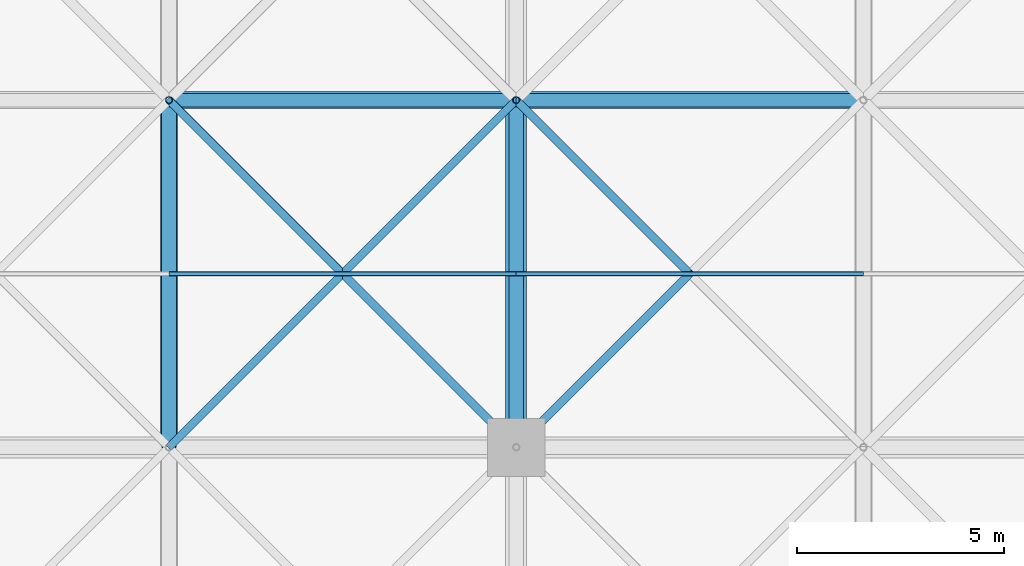
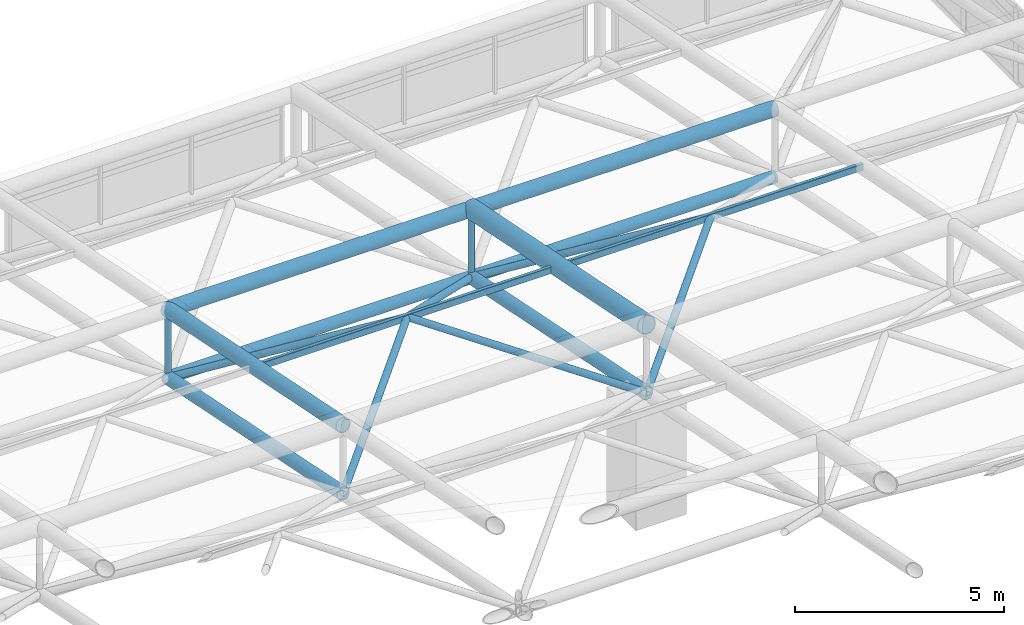
# One storey, part 65 of 110: 18 members.
"""IFC4 building model written with IfcOpenShell, lengths in metres."""

from ifc_helpers import new_model, si_unit, direction, frame, origin, origin_2d, place, context, subcontext, project, spatial, hollow_rectangle, hollow_circle, extrude, material, material_profile, profile_set, type_object, element, save


model = new_model("IFC4")

# Units and contexts
model_context = context("Model", 3, precision=1e-05, world=origin(), true_north=direction((0.0, 1.0)))
body_context = subcontext(model_context, "Body", "Model", "MODEL_VIEW")
ifc_project = project(units=[si_unit("LENGTHUNIT", "METRE"), si_unit("AREAUNIT", "SQUARE_METRE"), si_unit("VOLUMEUNIT", "CUBIC_METRE"), si_unit("PLANEANGLEUNIT", "RADIAN"), si_unit("MASSUNIT", "GRAM", prefix="KILO")], contexts=[model_context])

# Site, building, storey
site_placement = place(None, origin())
site = spatial("IfcSite", under=ifc_project, at=site_placement, CompositionType="ELEMENT")
building_placement = place(site_placement, origin())
building = spatial("IfcBuilding", under=site, at=building_placement, Name="Qawsi Khor Wholesale Market", CompositionType="ELEMENT")
storey_placement = place(building_placement, frame((0.0, 0.0, 11.39990234375)))
storey = spatial("IfcBuildingStorey", under=building, at=storey_placement, Name="L02", CompositionType="ELEMENT", Elevation=11.39990234375)

# Members
ifc_material = material(Name="Steel S355", Category="steel")
ifc_material_profile_1 = material_profile(ifc_material, hollow_circle(Radius=0.177734375, WallThickness=0.01611328125, at=origin_2d()), Name="CHS 355.6x16.0")
ifc_profile_set_1 = profile_set([ifc_material_profile_1], Name="Steel S355")
member_type_1 = type_object("IfcMemberType", Name="Space-Frame Bottom Chord CHS 355.6x16.0", PredefinedType="CHORD", material=ifc_profile_set_1)
for number, where, z_axis, x_axis, name in (
    (1, (193.199951171875, 92.39990234375, 3.3701171875), (0.0, 0.98013111127, -0.198350711418), (-1.0, 0.0, 0.0), "Space frame bottom chord Y EH (23,11)"),
    (2, (201.60009765625, 92.39990234375, 3.3701171875), (0.0, 0.98013111127, -0.198350711418), (-1.0, 0.0, 0.0), "Space frame bottom chord Y EH (24,11)"),
):
    element("IfcMember", number, at=place(storey_placement, frame(where, z_axis=z_axis, x_axis=x_axis)), inside=storey, type_object=member_type_1, Name=name, PredefinedType="CHORD", context=body_context, shape_type="SweptSolid", body=[
        extrude(hollow_circle(Radius=0.177734375, WallThickness=0.01611328125, at=origin_2d()), origin(), (0.0, 0.0, 1.0), 8.5703125),
    ])
ifc_material_profile_2 = material_profile(ifc_material, hollow_circle(Radius=0.25390625, WallThickness=0.02490234375, at=origin_2d()), Name="CHS 508.0x25.0")
ifc_profile_set_2 = profile_set([ifc_material_profile_2], Name="Steel S355")
member_type_2 = type_object("IfcMemberType", Name="Space-Frame Main Chord CHS 508.0x25.0", PredefinedType="CHORD", material=ifc_profile_set_2)
member_1_placement = place(storey_placement, frame((201.60009765625, 92.39990234375, 5.3701171875), z_axis=(0.0, 0.98013111127, -0.198350711418), x_axis=(-1.0, 0.0, 0.0)))
element("IfcMember", 3, at=member_1_placement, inside=storey, type_object=member_type_2, Name="Space frame top chord Y EH (24,11)", PredefinedType="CHORD", context=body_context, shape_type="SweptSolid", body=[
    extrude(hollow_circle(Radius=0.25390625, WallThickness=0.02490234375, at=origin_2d()), origin(), (0.0, 0.0, 1.0), 8.5703125),
])
ifc_material_profile_3 = material_profile(ifc_material, hollow_rectangle(XDim=0.10009765625, YDim=0.199951171875, WallThickness=0.008056640625, InnerFilletRadius=0.008056640625, OuterFilletRadius=0.01611328125, at=origin_2d()), Name="RHS 200x100x8.0")
ifc_profile_set_3 = profile_set([ifc_material_profile_3], Name="Steel S355")
member_type_3 = type_object("IfcMemberType", Name="Space-Frame Purlin RHS 200x100x8.0", PredefinedType="PURLIN", material=ifc_profile_set_3)
member_2_placement = place(storey_placement, frame((193.199951171875, 96.60009765625, 4.52001953125), z_axis=(1.0, 0.0, 0.0), x_axis=(0.0, 1.0, 0.0)))
element("IfcMember", 4, at=member_2_placement, inside=storey, type_object=member_type_3, Name="Space frame purlin EH (23,11)", PredefinedType="PURLIN", context=body_context, shape_type="SweptSolid", body=[
    extrude(hollow_rectangle(XDim=0.10009765625, YDim=0.199951171875, WallThickness=0.008056640625, InnerFilletRadius=0.008056640625, OuterFilletRadius=0.01611328125, at=origin_2d()), origin(), (0.0, 0.0, 1.0), 8.400146484375),
])
member_3_placement = place(storey_placement, frame((201.60009765625, 96.60009765625, 4.52001953125), z_axis=(1.0, 0.0, 0.0), x_axis=(0.0, 1.0, 0.0)))
element("IfcMember", 5, at=member_3_placement, inside=storey, type_object=member_type_3, Name="Space frame purlin EH (24,11)", PredefinedType="PURLIN", context=body_context, shape_type="SweptSolid", body=[
    extrude(hollow_rectangle(XDim=0.10009765625, YDim=0.199951171875, WallThickness=0.008056640625, InnerFilletRadius=0.008056640625, OuterFilletRadius=0.01611328125, at=origin_2d()), origin(), (0.0, 0.0, 1.0), 8.39990234375),
])
ifc_material_profile_4 = material_profile(ifc_material, hollow_circle(Radius=0.161865234375, WallThickness=0.01611328125, at=origin_2d()), Name="CHS 323.9x16.0")
ifc_profile_set_4 = profile_set([ifc_material_profile_4], Name="Steel S355")
member_type_4 = type_object("IfcMemberType", Name="Space-Frame Secondary Chord CHS 323.9x16.0", PredefinedType="CHORD", material=ifc_profile_set_4)
member_4_placement = place(storey_placement, frame((193.199951171875, 100.800048828125, 1.670166015625), z_axis=(1.0, 0.0, 0.0), x_axis=(0.0, 1.0, 0.0)))
element("IfcMember", 6, at=member_4_placement, inside=storey, type_object=member_type_4, Name="Space frame bottom chord X EH (23,12)", PredefinedType="CHORD", context=body_context, shape_type="SweptSolid", body=[
    extrude(hollow_circle(Radius=0.161865234375, WallThickness=0.01611328125, at=origin_2d()), origin(), (0.0, 0.0, 1.0), 8.400146484375),
])
member_5_placement = place(storey_placement, frame((201.60009765625, 100.800048828125, 1.670166015625), z_axis=(1.0, 0.0, 0.0), x_axis=(0.0, 1.0, 0.0)))
element("IfcMember", 7, at=member_5_placement, inside=storey, type_object=member_type_4, Name="Space frame bottom chord X EH (24,12)", PredefinedType="CHORD", context=body_context, shape_type="SweptSolid", body=[
    extrude(hollow_circle(Radius=0.161865234375, WallThickness=0.01611328125, at=origin_2d()), origin(), (0.0, 0.0, 1.0), 8.39990234375),
])
ifc_material_profile_5 = material_profile(ifc_material, hollow_circle(Radius=0.096923828125, WallThickness=0.008056640625, at=origin_2d()), Name="CHS 193.7x8.0")
ifc_profile_set_5 = profile_set([ifc_material_profile_5], Name="Steel S355")
member_type_5 = type_object("IfcMemberType", Name="Space-Frame Secondary Diagonal CHS 193.7x8.0", PredefinedType="RAFTER", material=ifc_profile_set_5)
member_6_placement = place(storey_placement, frame((193.199951171875, 92.39990234375, 3.3701171875), z_axis=(0.694197266374, 0.694237619642, 0.19006389145), x_axis=(-0.707127332136, 0.70708622964, 0.0)))
element("IfcMember", 8, at=member_6_placement, inside=storey, type_object=member_type_5, Name="Space frame diagonal EH (23,11)-1", PredefinedType="RAFTER", context=body_context, shape_type="SweptSolid", body=[
    extrude(hollow_circle(Radius=0.096923828125, WallThickness=0.008056640625, at=origin_2d()), origin(), (0.0, 0.0, 1.0), 6.050048828125),
])
member_7_placement = place(storey_placement, frame((201.60009765625, 92.39990234375, 3.3701171875), z_axis=(-0.694218172126, 0.694218172126, 0.190058567235), x_axis=(-0.707106781187, -0.707106781187, 0.0)))
element("IfcMember", 9, at=member_7_placement, inside=storey, type_object=member_type_5, Name="Space frame diagonal EH (23,11)-2", PredefinedType="RAFTER", context=body_context, shape_type="SweptSolid", body=[
    extrude(hollow_circle(Radius=0.096923828125, WallThickness=0.008056640625, at=origin_2d()), origin(), (0.0, 0.0, 1.0), 6.05029296875),
])
member_8_placement = place(storey_placement, frame((201.60009765625, 100.800048828125, 1.670166015625), z_axis=(-0.637543957519, -0.637506899628, 0.432576762155), x_axis=(0.70708622964, -0.707127332136, 0.0)))
element("IfcMember", 10, at=member_8_placement, inside=storey, type_object=member_type_5, Name="Space frame diagonal EH (23,11)-3", PredefinedType="RAFTER", context=body_context, shape_type="SweptSolid", body=[
    extrude(hollow_circle(Radius=0.096923828125, WallThickness=0.008056640625, at=origin_2d()), origin(), (0.0, 0.0, 1.0), 6.588134765625),
])
member_9_placement = place(storey_placement, frame((193.199951171875, 100.800048828125, 1.670166015625), z_axis=(0.637521961484, -0.637521961484, 0.432586982294), x_axis=(0.707106781187, 0.707106781187, 0.0)))
element("IfcMember", 11, at=member_9_placement, inside=storey, type_object=member_type_5, Name="Space frame diagonal EH (23,11)-4", PredefinedType="RAFTER", context=body_context, shape_type="SweptSolid", body=[
    extrude(hollow_circle(Radius=0.096923828125, WallThickness=0.008056640625, at=origin_2d()), origin(), (0.0, 0.0, 1.0), 6.587890625),
])
member_10_placement = place(storey_placement, frame((201.60009765625, 92.39990234375, 3.3701171875), z_axis=(0.694197266374, 0.694237619642, 0.19006389145), x_axis=(-0.707127332136, 0.70708622964, 0.0)))
element("IfcMember", 12, at=member_10_placement, inside=storey, type_object=member_type_5, Name="Space frame diagonal EH (24,11)-1", PredefinedType="RAFTER", context=body_context, shape_type="SweptSolid", body=[
    extrude(hollow_circle(Radius=0.096923828125, WallThickness=0.008056640625, at=origin_2d()), origin(), (0.0, 0.0, 1.0), 6.050048828125),
])
member_11_placement = place(storey_placement, frame((201.60009765625, 100.800048828125, 1.670166015625), z_axis=(0.637521961484, -0.637521961484, 0.432586982294), x_axis=(0.707106781187, 0.707106781187, 0.0)))
element("IfcMember", 13, at=member_11_placement, inside=storey, type_object=member_type_5, Name="Space frame diagonal EH (24,11)-4", PredefinedType="RAFTER", context=body_context, shape_type="SweptSolid", body=[
    extrude(hollow_circle(Radius=0.096923828125, WallThickness=0.008056640625, at=origin_2d()), origin(), (0.0, 0.0, 1.0), 6.587890625),
])
ifc_material_profile_6 = material_profile(ifc_material, hollow_circle(Radius=0.203125, WallThickness=0.02001953125, at=origin_2d()), Name="CHS 406.4x20.0")
ifc_profile_set_6 = profile_set([ifc_material_profile_6], Name="Steel S355")
member_type_6 = type_object("IfcMemberType", Name="Space-Frame Top Chord CHS 406.4x20.0", PredefinedType="CHORD", material=ifc_profile_set_6)
member_12_placement = place(storey_placement, frame((193.199951171875, 92.39990234375, 5.3701171875), z_axis=(0.0, 0.98013111127, -0.198350711418), x_axis=(-1.0, 0.0, 0.0)))
element("IfcMember", 14, at=member_12_placement, inside=storey, type_object=member_type_6, Name="Space frame top chord Y EH (23,11)", PredefinedType="CHORD", context=body_context, shape_type="SweptSolid", body=[
    extrude(hollow_circle(Radius=0.203125, WallThickness=0.02001953125, at=origin_2d()), origin(), (0.0, 0.0, 1.0), 8.5703125),
])
member_13_placement = place(storey_placement, frame((193.199951171875, 100.800048828125, 3.670166015625), z_axis=(1.0, 0.0, 0.0), x_axis=(0.0, 1.0, 0.0)))
element("IfcMember", 15, at=member_13_placement, inside=storey, type_object=member_type_6, Name="Space frame top chord X EH (23,12)", PredefinedType="CHORD", context=body_context, shape_type="SweptSolid", body=[
    extrude(hollow_circle(Radius=0.203125, WallThickness=0.02001953125, at=origin_2d()), origin(), (0.0, 0.0, 1.0), 8.400146484375),
])
member_14_placement = place(storey_placement, frame((201.60009765625, 100.800048828125, 3.670166015625), z_axis=(1.0, 0.0, 0.0), x_axis=(0.0, 1.0, 0.0)))
element("IfcMember", 16, at=member_14_placement, inside=storey, type_object=member_type_6, Name="Space frame top chord X EH (24,12)", PredefinedType="CHORD", context=body_context, shape_type="SweptSolid", body=[
    extrude(hollow_circle(Radius=0.203125, WallThickness=0.02001953125, at=origin_2d()), origin(), (0.0, 0.0, 1.0), 8.39990234375),
])
ifc_material_profile_7 = material_profile(ifc_material, hollow_circle(Radius=0.084228515625, WallThickness=0.008056640625, at=origin_2d()), Name="CHS 168.3x8.0")
ifc_profile_set_7 = profile_set([ifc_material_profile_7], Name="Steel S355")
member_type_7 = type_object("IfcMemberType", Name="Space-Frame Vertical Strut CHS 168.3x8.0", PredefinedType="STRUT", material=ifc_profile_set_7)
for number, where, z_axis, x_axis, name in (
    (17, (193.199951171875, 100.800048828125, 1.670166015625), (0.0, 0.0, 1.0), (1.0, 0.0, 0.0), "Space frame post EH (23,12)"),
    (18, (201.60009765625, 100.800048828125, 1.670166015625), (0.0, 0.0, 1.0), (1.0, 0.0, 0.0), "Space frame post EH (24,12)"),
):
    element("IfcMember", number, at=place(storey_placement, frame(where, z_axis=z_axis, x_axis=x_axis)), inside=storey, type_object=member_type_7, Name=name, PredefinedType="STRUT", context=body_context, shape_type="SweptSolid", body=[
        extrude(hollow_circle(Radius=0.084228515625, WallThickness=0.008056640625, at=origin_2d()), origin(), (0.0, 0.0, 1.0), 2.0),
    ])

save(model, "model.ifc")
